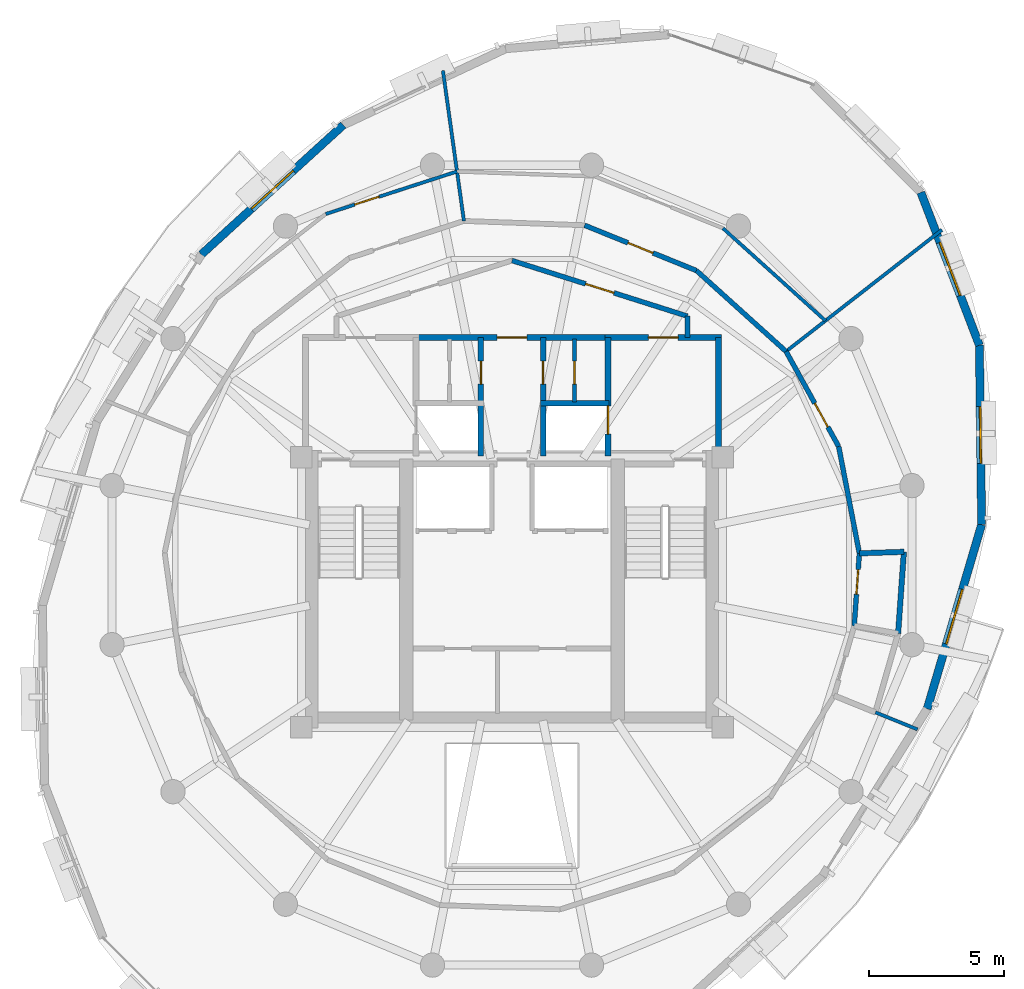
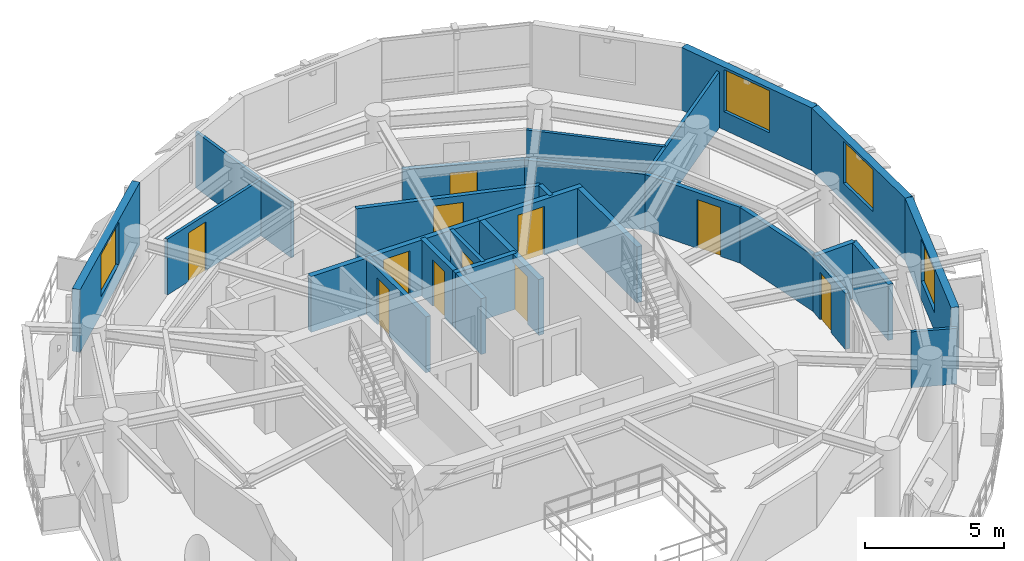
# One storey, part 8 of 11: 26 walls, 11 doors, 4 windows, 15 openings.
"""IFC4 building model written with IfcOpenShell, lengths in metres."""

from ifc_helpers import new_model, si_unit, direction, frame, frame_2d, origin, place, context, subcontext, project, spatial, rectangle, extrude, material, layer, layer_set, type_object, element, fill, save


model = new_model("IFC4")

# Units and contexts
model_context = context("Model", 3, precision=1e-05, world=origin(), true_north=direction((0.0, 1.0)))
body_context = subcontext(model_context, "Body", "Model", "MODEL_VIEW")
ifc_project = project(units=[si_unit("LENGTHUNIT", "METRE"), si_unit("AREAUNIT", "SQUARE_METRE"), si_unit("VOLUMEUNIT", "CUBIC_METRE"), si_unit("PLANEANGLEUNIT", "RADIAN"), si_unit("MASSUNIT", "GRAM", prefix="KILO"), si_unit("THERMODYNAMICTEMPERATUREUNIT", "KELVIN"), si_unit("POWERUNIT", "WATT")], contexts=[model_context])

# Site, building, storey
site_placement = place(None, origin())
site = spatial("IfcSite", under=ifc_project, at=site_placement, CompositionType="ELEMENT")
building_placement = place(site_placement, origin())
building = spatial("IfcBuilding", under=site, at=building_placement, Name="Ocrelia Relay Tower", CompositionType="ELEMENT")
storey_placement = place(building_placement, frame((0.0, 0.0, 270.0)))
storey = spatial("IfcBuildingStorey", under=building, at=storey_placement, Name="L67", CompositionType="ELEMENT", Elevation=270.0)

# Wall
ifc_material_1 = material(Name="Gypsum Fireboard Partition EI60", Category="gypsum")
ifc_layer_1 = layer(ifc_material_1, 0.179931640625, Name="Gypsum Fireboard Partition EI60")
ifc_layer_set_1 = layer_set([ifc_layer_1], Name="Gypsum Fireboard Partition EI60")
wall_type_1 = type_object("IfcWallType", Name="W-CORR-EI60-180", PredefinedType="PARTITIONING", material=ifc_layer_set_1)
wall_1_placement = place(storey_placement, frame((40.5, 35.218994140625, 0.0), z_axis=(0.0, 0.0, 1.0), x_axis=(0.0, -1.0, 0.0)))
element("IfcWall", 1, at=wall_1_placement, inside=storey, type_object=wall_type_1, Name="L67 Smoke Lobby East Return", PredefinedType="PARTITIONING", context=body_context, shape_type="SweptSolid", body=[
    extrude(rectangle(XDim=0.7890625, YDim=0.179931640625, at=frame_2d((0.39453125, 0.0))), origin(), (0.0, 0.0, 1.0), 2.4599609375),
])

# Wall, opening, door
wall_2_placement = place(storey_placement, frame((34.0, 37.280029296875, 0.0), z_axis=(0.0, 0.0, 1.0), x_axis=(0.953228121756, -0.302251795518, 0.0)))
wall_2 = element("IfcWall", 2, at=wall_2_placement, inside=storey, type_object=wall_type_1, Name="L67 North Smoke Lobby E Screen Wall", PredefinedType="PARTITIONING", context=body_context, shape_type="SweptSolid", body=[
    extrude(rectangle(XDim=6.81884765625, YDim=0.179931640625, at=frame_2d((3.409423828125, 0.0))), origin(), (0.0, 0.0, 1.0), 2.4599609375),
])
opening_1_placement = place(wall_2_placement, frame((2.859619140625, 0.0, 0.0)))
opening_1 = element("IfcOpeningElement", 3, at=opening_1_placement, cuts=wall_2, Name="Opening D-FD60", PredefinedType="OPENING", context=body_context, shape_type="SweptSolid", body=[
    extrude(rectangle(XDim=1.10009765625, YDim=2.14990234375, at=frame_2d((0.550048828125, 1.074951171875))), frame((0.0, 0.10009765625, 0.0), z_axis=(0.0, -1.0, 0.0), x_axis=(1.0, 0.0, 0.0)), (0.0, 0.0, 1.0), 0.199951171875),
])
ifc_material_2 = material(Name="Timber-core 60-min acoustic fire door", Category="wood")
door_type_1 = type_object("IfcDoorType", Name="DR-LOBBY-FD60-1100", OperationType="NOTDEFINED", PredefinedType="DOOR", material=ifc_material_2)
door_1_placement = place(opening_1_placement, origin())
door_1 = element("IfcDoor", 4, at=door_1_placement, inside=storey, type_object=door_type_1, Name="L67 North Smoke Lobby E Fire Door", OperationType="SINGLE_SWING_LEFT", OverallHeight=2.14990234375, OverallWidth=1.10009765625, PredefinedType="DOOR", context=body_context, shape_type="SweptSolid", body=[
    extrude(rectangle(XDim=1.10009765625, YDim=2.14990234375, at=frame_2d((0.550048828125, 1.074951171875))), frame((0.0, 0.02490234375, 0.0), z_axis=(0.0, -1.0, 0.0), x_axis=(1.0, 0.0, 0.0)), (0.0, 0.0, 1.0), 0.050048828125),
])
fill(opening_1, door_1)

wall_3_placement = place(storey_placement, frame((46.672607421875, 23.754150390625, 0.0), z_axis=(0.0, 0.0, 1.0), x_axis=(0.070595733357, 0.997505008725, 0.0)))
wall_3 = element("IfcWall", 5, at=wall_3_placement, inside=storey, type_object=wall_type_1, Name="L67 Accessible Toilet Corridor Wall", PredefinedType="PARTITIONING", context=body_context, shape_type="SweptSolid", body=[
    extrude(rectangle(XDim=2.6904296875, YDim=0.179931640625, at=frame_2d((1.34521484375, 0.0))), origin(), (0.0, 0.0, 1.0), 2.4599609375),
])
opening_2_placement = place(wall_3_placement, frame((1.16748046875, 0.0, 0.0)))
opening_2 = element("IfcOpeningElement", 6, at=opening_2_placement, cuts=wall_3, Name="Opening D-WC92", PredefinedType="OPENING", context=body_context, shape_type="SweptSolid", body=[
    extrude(rectangle(XDim=0.919921875, YDim=2.10009765625, at=frame_2d((0.4599609375, 1.050048828125))), frame((0.0, 0.10009765625, 0.0), z_axis=(0.0, -1.0, 0.0), x_axis=(1.0, 0.0, 0.0)), (0.0, 0.0, 1.0), 0.199951171875),
])
ifc_material_3 = material(Name="Laminate washroom door", Category="wood")
door_type_2 = type_object("IfcDoorType", Name="DR-WC-920", OperationType="NOTDEFINED", PredefinedType="DOOR", material=ifc_material_3)
door_2_placement = place(opening_2_placement, origin())
door_2 = element("IfcDoor", 7, at=door_2_placement, inside=storey, type_object=door_type_2, Name="L67 Accessible Toilet Door", OperationType="SINGLE_SWING_LEFT", OverallHeight=2.10009765625, OverallWidth=0.919921875, PredefinedType="DOOR", context=body_context, shape_type="SweptSolid", body=[
    extrude(rectangle(XDim=0.919921875, YDim=2.10009765625, at=frame_2d((0.4599609375, 1.050048828125))), frame((0.0, 0.02490234375, 0.0), z_axis=(0.0, -1.0, 0.0), x_axis=(1.0, 0.0, 0.0)), (0.0, 0.0, 1.0), 0.050048828125),
])
fill(opening_2, door_2)

# Wall
wall_4_placement = place(storey_placement, frame((46.862548828125, 26.43798828125, 0.0), z_axis=(0.0, 0.0, 1.0), x_axis=(-0.189967232021, 0.981790431181, 0.0)))
element("IfcWall", 8, at=wall_4_placement, inside=storey, type_object=wall_type_1, Name="L67 RF Calibration Laboratory Corridor Partition 1", PredefinedType="PARTITIONING", context=body_context, shape_type="SweptSolid", body=[
    extrude(rectangle(XDim=4.0263671875, YDim=0.179931640625, at=frame_2d((2.01318359375, 0.0))), origin(), (0.0, 0.0, 1.0), 2.4599609375),
])

# Wall, opening, door
wall_5_placement = place(storey_placement, frame((46.09765625, 30.39111328125, 0.0), z_axis=(0.0, 0.0, 1.0), x_axis=(-0.484005083868, 0.875065185452, 0.0)))
wall_5 = element("IfcWall", 9, at=wall_5_placement, inside=storey, type_object=wall_type_1, Name="L67 RF Calibration Laboratory Corridor Partition 2", PredefinedType="PARTITIONING", context=body_context, shape_type="SweptSolid", body=[
    extrude(rectangle(XDim=4.02685546875, YDim=0.179931640625, at=frame_2d((2.013427734375, 0.0))), origin(), (0.0, 0.0, 1.0), 2.4599609375),
])
opening_3_placement = place(wall_5_placement, frame((0.831787109375, 0.0, 0.0)))
opening_3 = element("IfcOpeningElement", 10, at=opening_3_placement, cuts=wall_5, Name="Opening D-RM100", PredefinedType="OPENING", context=body_context, shape_type="SweptSolid", body=[
    extrude(rectangle(XDim=1.0, YDim=2.14990234375, at=frame_2d((0.5, 1.074951171875))), frame((0.0, 0.10009765625, 0.0), z_axis=(0.0, -1.0, 0.0), x_axis=(1.0, 0.0, 0.0)), (0.0, 0.0, 1.0), 0.199951171875),
])
ifc_material_4 = material(Name="Acoustic oak veneer fire door", Category="wood")
door_type_3 = type_object("IfcDoorType", Name="DR-ROOM-FD60-1000", OperationType="NOTDEFINED", PredefinedType="DOOR", material=ifc_material_4)
door_3_placement = place(opening_3_placement, origin())
door_3 = element("IfcDoor", 11, at=door_3_placement, inside=storey, type_object=door_type_3, Name="L67 RF Calibration Laboratory Entrance Door", OperationType="SINGLE_SWING_RIGHT", OverallHeight=2.14990234375, OverallWidth=1.0, PredefinedType="DOOR", context=body_context, shape_type="SweptSolid", body=[
    extrude(rectangle(XDim=1.0, YDim=2.14990234375, at=frame_2d((0.5, 1.074951171875))), frame((0.0, 0.02490234375, 0.0), z_axis=(0.0, -1.0, 0.0), x_axis=(1.0, 0.0, 0.0)), (0.0, 0.0, 1.0), 0.050048828125),
])
fill(opening_3, door_3)

# Wall
wall_6_placement = place(storey_placement, frame((44.148681640625, 33.914794921875, 0.0), z_axis=(0.0, 0.0, 1.0), x_axis=(-0.742573984857, 0.669764045775, 0.0)))
element("IfcWall", 12, at=wall_6_placement, inside=storey, type_object=wall_type_1, Name="L67 Spectrum Metrology Lab Corridor Partition 1", PredefinedType="PARTITIONING", context=body_context, shape_type="SweptSolid", body=[
    extrude(rectangle(XDim=4.4697265625, YDim=0.179931640625, at=frame_2d((2.23486328125, 0.0))), origin(), (0.0, 0.0, 1.0), 2.4599609375),
])

# Wall, opening, door
wall_7_placement = place(storey_placement, frame((40.82958984375, 36.908447265625, 0.0), z_axis=(0.0, 0.0, 1.0), x_axis=(-0.926859496036, 0.375408410411, 0.0)))
wall_7 = element("IfcWall", 13, at=wall_7_placement, inside=storey, type_object=wall_type_1, Name="L67 Spectrum Metrology Lab Corridor Partition 2", PredefinedType="PARTITIONING", context=body_context, shape_type="SweptSolid", body=[
    extrude(rectangle(XDim=4.4697265625, YDim=0.179931640625, at=frame_2d((2.23486328125, 0.0))), origin(), (0.0, 0.0, 1.0), 2.4599609375),
])
opening_4_placement = place(wall_7_placement, frame((1.73486328125, 0.0, 0.0)))
opening_4 = element("IfcOpeningElement", 14, at=opening_4_placement, cuts=wall_7, Name="Opening D-RM100", PredefinedType="OPENING", context=body_context, shape_type="SweptSolid", body=[
    extrude(rectangle(XDim=1.0, YDim=2.14990234375, at=frame_2d((0.5, 1.074951171875))), frame((0.0, 0.10009765625, 0.0), z_axis=(0.0, -1.0, 0.0), x_axis=(1.0, 0.0, 0.0)), (0.0, 0.0, 1.0), 0.199951171875),
])
door_4_placement = place(opening_4_placement, origin())
door_4 = element("IfcDoor", 15, at=door_4_placement, inside=storey, type_object=door_type_3, Name="L67 Spectrum Metrology Lab Entrance Door", OperationType="SINGLE_SWING_LEFT", OverallHeight=2.14990234375, OverallWidth=1.0, PredefinedType="DOOR", context=body_context, shape_type="SweptSolid", body=[
    extrude(rectangle(XDim=1.0, YDim=2.14990234375, at=frame_2d((0.5, 1.074951171875))), frame((0.0, 0.02490234375, 0.0), z_axis=(0.0, -1.0, 0.0), x_axis=(1.0, 0.0, 0.0)), (0.0, 0.0, 1.0), 0.050048828125),
])
fill(opening_4, door_4)

# Wall, opening, window
ifc_material_5 = material(Name="Precast concrete C40/50 with oxide terracotta", Category="masonry")
ifc_layer_2 = layer(ifc_material_5, 0.300048828125, Name="Precast concrete C40/50 with oxide terracotta")
ifc_layer_set_2 = layer_set([ifc_layer_2], Name="Precast concrete C40/50 with oxide terracotta")
wall_type_2 = type_object("IfcWallType", Name="W-EXT-TERR-300", PredefinedType="SOLIDWALL", material=ifc_layer_set_2)
wall_8_placement = place(storey_placement, frame((27.75390625, 42.298583984375, 0.0), z_axis=(0.0, 0.0, 1.0), x_axis=(-0.738936247596, -0.673775349793, 0.0)))
wall_8 = element("IfcWall", 16, at=wall_8_placement, inside=storey, type_object=wall_type_2, Name="L67 Oxide Terracotta Facade Wall 04", PredefinedType="SOLIDWALL", context=body_context, shape_type="SweptSolid", body=[
    extrude(rectangle(XDim=7.114990234375, YDim=0.300048828125, at=frame_2d((3.5576171875, 0.0))), origin(), (0.0, 0.0, 1.0), 2.760009765625),
])
opening_5_placement = place(wall_8_placement, frame((2.508056640625, 0.0, 0.800048828125)))
opening_5 = element("IfcOpeningElement", 17, at=opening_5_placement, cuts=wall_8, Name="Opening W-07", PredefinedType="OPENING", context=body_context, shape_type="SweptSolid", body=[
    extrude(rectangle(XDim=2.10009765625, YDim=1.85009765625, at=frame_2d((1.050048828125, 0.925048828125))), frame((0.0, 0.16015625, 0.0), z_axis=(0.0, -1.0, 0.0), x_axis=(1.0, 0.0, 0.0)), (0.0, 0.0, 1.0), 0.320068359375),
])
ifc_material_6 = material(Name="Clear double-glazed low-E glass", Category="glass")
window_type = type_object("IfcWindowType", Name="WIN-Z4-2100x2200", PartitioningType="DOUBLE_PANEL_VERTICAL", PredefinedType="WINDOW", material=ifc_material_6)
window_1_placement = place(opening_5_placement, origin())
window_1 = element("IfcWindow", 18, at=window_1_placement, inside=storey, type_object=window_type, Name="L67 Facade Module Window 04", OverallHeight=1.85009765625, OverallWidth=2.10009765625, PartitioningType="SINGLE_PANEL", PredefinedType="WINDOW", context=body_context, shape_type="SweptSolid", body=[
    extrude(rectangle(XDim=2.10009765625, YDim=1.85009765625, at=frame_2d((1.050048828125, 0.925048828125))), frame((0.0, 0.030029296875, 0.0), z_axis=(0.0, -1.0, 0.0), x_axis=(1.0, 0.0, 0.0)), (0.0, 0.0, 1.0), 0.06005859375),
])
fill(opening_5, window_1)

wall_9_placement = place(storey_placement, frame((49.373779296875, 20.677001953125, 0.0), z_axis=(0.0, 0.0, 1.0), x_axis=(0.283347575433, 0.959017284253, 0.0)))
wall_9 = element("IfcWall", 19, at=wall_9_placement, inside=storey, type_object=wall_type_2, Name="L67 Oxide Terracotta Facade Wall 15", PredefinedType="SOLIDWALL", context=body_context, shape_type="SweptSolid", body=[
    extrude(rectangle(XDim=7.115234375, YDim=0.300048828125, at=frame_2d((3.5576171875, 0.0))), origin(), (0.0, 0.0, 1.0), 2.760009765625),
])
opening_6_placement = place(wall_9_placement, frame((2.508056640625, 0.0, 0.800048828125)))
opening_6 = element("IfcOpeningElement", 20, at=opening_6_placement, cuts=wall_9, Name="Opening W-07", PredefinedType="OPENING", context=body_context, shape_type="SweptSolid", body=[
    extrude(rectangle(XDim=2.10009765625, YDim=1.85009765625, at=frame_2d((1.050048828125, 0.925048828125))), frame((0.0, 0.16015625, 0.0), z_axis=(0.0, -1.0, 0.0), x_axis=(1.0, 0.0, 0.0)), (0.0, 0.0, 1.0), 0.320068359375),
])
window_2_placement = place(opening_6_placement, origin())
window_2 = element("IfcWindow", 21, at=window_2_placement, inside=storey, type_object=window_type, Name="L67 Facade Module Window 15", OverallHeight=1.85009765625, OverallWidth=2.10009765625, PartitioningType="SINGLE_PANEL", PredefinedType="WINDOW", context=body_context, shape_type="SweptSolid", body=[
    extrude(rectangle(XDim=2.10009765625, YDim=1.85009765625, at=frame_2d((1.050048828125, 0.925048828125))), frame((0.0, 0.030029296875, 0.0), z_axis=(0.0, -1.0, 0.0), x_axis=(1.0, 0.0, 0.0)), (0.0, 0.0, 1.0), 0.06005859375),
])
fill(opening_6, window_2)

wall_10_placement = place(storey_placement, frame((51.389892578125, 27.500732421875, 0.0), z_axis=(0.0, 0.0, 1.0), x_axis=(-0.012311621951, 0.99992420911, 0.0)))
wall_10 = element("IfcWall", 22, at=wall_10_placement, inside=storey, type_object=wall_type_2, Name="L67 Oxide Terracotta Facade Wall 16", PredefinedType="SOLIDWALL", context=body_context, shape_type="SweptSolid", body=[
    extrude(rectangle(XDim=6.64306640625, YDim=0.300048828125, at=frame_2d((3.321533203125, 0.0))), origin(), (0.0, 0.0, 1.0), 2.760009765625),
])
opening_7_placement = place(wall_10_placement, frame((2.27197265625, 0.0, 0.800048828125)))
opening_7 = element("IfcOpeningElement", 23, at=opening_7_placement, cuts=wall_10, Name="Opening W-07", PredefinedType="OPENING", context=body_context, shape_type="SweptSolid", body=[
    extrude(rectangle(XDim=2.10009765625, YDim=1.85009765625, at=frame_2d((1.050048828125, 0.925048828125))), frame((0.0, 0.16015625, 0.0), z_axis=(0.0, -1.0, 0.0), x_axis=(1.0, 0.0, 0.0)), (0.0, 0.0, 1.0), 0.320068359375),
])
window_3_placement = place(opening_7_placement, origin())
window_3 = element("IfcWindow", 24, at=window_3_placement, inside=storey, type_object=window_type, Name="L67 Facade Module Window 16", OverallHeight=1.85009765625, OverallWidth=2.10009765625, PartitioningType="SINGLE_PANEL", PredefinedType="WINDOW", context=body_context, shape_type="SweptSolid", body=[
    extrude(rectangle(XDim=2.10009765625, YDim=1.85009765625, at=frame_2d((1.050048828125, 0.925048828125))), frame((0.0, 0.030029296875, 0.0), z_axis=(0.0, -1.0, 0.0), x_axis=(1.0, 0.0, 0.0)), (0.0, 0.0, 1.0), 0.06005859375),
])
fill(opening_7, window_3)

wall_11_placement = place(storey_placement, frame((51.30810546875, 34.143310546875, 0.0), z_axis=(0.0, 0.0, 1.0), x_axis=(-0.357845295603, 0.933780886726, 0.0)))
wall_11 = element("IfcWall", 25, at=wall_11_placement, inside=storey, type_object=wall_type_2, Name="L67 Oxide Terracotta Facade Wall 17", PredefinedType="SOLIDWALL", context=body_context, shape_type="SweptSolid", body=[
    extrude(rectangle(XDim=6.061767578125, YDim=0.300048828125, at=frame_2d((3.03076171875, 0.0))), origin(), (0.0, 0.0, 1.0), 2.760009765625),
])
opening_8_placement = place(wall_11_placement, frame((1.98095703125, 0.0, 0.800048828125)))
opening_8 = element("IfcOpeningElement", 26, at=opening_8_placement, cuts=wall_11, Name="Opening W-07", PredefinedType="OPENING", context=body_context, shape_type="SweptSolid", body=[
    extrude(rectangle(XDim=2.10009765625, YDim=1.85009765625, at=frame_2d((1.050048828125, 0.925048828125))), frame((0.0, 0.16015625, 0.0), z_axis=(0.0, -1.0, 0.0), x_axis=(1.0, 0.0, 0.0)), (0.0, 0.0, 1.0), 0.320068359375),
])
window_4_placement = place(opening_8_placement, origin())
window_4 = element("IfcWindow", 27, at=window_4_placement, inside=storey, type_object=window_type, Name="L67 Facade Module Window 17", OverallHeight=1.85009765625, OverallWidth=2.10009765625, PartitioningType="SINGLE_PANEL", PredefinedType="WINDOW", context=body_context, shape_type="SweptSolid", body=[
    extrude(rectangle(XDim=2.10009765625, YDim=1.85009765625, at=frame_2d((1.050048828125, 0.925048828125))), frame((0.0, 0.030029296875, 0.0), z_axis=(0.0, -1.0, 0.0), x_axis=(1.0, 0.0, 0.0)), (0.0, 0.0, 1.0), 0.06005859375),
])
fill(opening_8, window_4)

# Wall, opening, door
ifc_material_7 = material(Name="Concrete C50/60", Category="concrete")
ifc_layer_3 = layer(ifc_material_7, 0.219970703125, Name="Concrete C50/60")
ifc_layer_set_3 = layer_set([ifc_layer_3], Name="Concrete C50/60")
wall_type_3 = type_object("IfcWallType", Name="W-FFL-EI120-220", PredefinedType="SOLIDWALL", material=ifc_layer_set_3)
wall_12_placement = place(storey_placement, frame((37.56005859375, 30.050048828125, 0.0), z_axis=(0.0, 0.0, 1.0), x_axis=(0.0, 1.0, 0.0)))
wall_12 = element("IfcWall", 28, at=wall_12_placement, inside=storey, type_object=wall_type_3, Name="L67 E Fire Service Lift Lobby West Wall", PredefinedType="SOLIDWALL", context=body_context, shape_type="SweptSolid", body=[
    extrude(rectangle(XDim=4.3798828125, YDim=0.219970703125, at=frame_2d((2.18994140625, 0.0))), origin(), (0.0, 0.0, 1.0), 2.4599609375),
])
opening_9_placement = place(wall_12_placement, frame((0.800048828125, 0.0, 0.0)))
opening_9 = element("IfcOpeningElement", 29, at=opening_9_placement, cuts=wall_12, Name="Opening LD-FFL2", PredefinedType="OPENING", context=body_context, shape_type="SweptSolid", body=[
    extrude(rectangle(XDim=1.050048828125, YDim=2.10009765625, at=frame_2d((0.52490234375, 1.050048828125))), frame((0.0, 0.1201171875, 0.0), z_axis=(0.0, -1.0, 0.0), x_axis=(1.0, 0.0, 0.0)), (0.0, 0.0, 1.0), 0.239990234375),
])
ifc_material_8 = material(Name="Brushed stainless steel S355 lift landing door", Category="steel")
door_type_4 = type_object("IfcDoorType", Name="DR-LIFT-LAND-1050", OperationType="DOUBLE_DOOR_SLIDING", PredefinedType="USERDEFINED", material=ifc_material_8)
door_5_placement = place(opening_9_placement, origin())
door_5 = element("IfcDoor", 30, at=door_5_placement, inside=storey, type_object=door_type_4, Name="L67 Firefighting Lift FFL2 Sliding Landing Door", ObjectType="LANDING DOOR", OperationType="DOUBLE_DOOR_SLIDING", OverallHeight=2.10009765625, OverallWidth=1.050048828125, PredefinedType="USERDEFINED", context=body_context, shape_type="SweptSolid", body=[
    extrude(rectangle(XDim=1.050048828125, YDim=2.10009765625, at=frame_2d((0.52490234375, 1.050048828125))), frame((0.0, 0.02490234375, 0.0), z_axis=(0.0, -1.0, 0.0), x_axis=(1.0, 0.0, 0.0)), (0.0, 0.0, 1.0), 0.050048828125),
])
fill(opening_9, door_5)

# Wall
wall_13_placement = place(storey_placement, frame((41.64990234375, 30.050048828125, 0.0), z_axis=(0.0, 0.0, 1.0), x_axis=(0.0, 1.0, 0.0)))
element("IfcWall", 31, at=wall_13_placement, inside=storey, type_object=wall_type_3, Name="L67 E Fire Service Lift Lobby East Wall", PredefinedType="SOLIDWALL", context=body_context, shape_type="SweptSolid", body=[
    extrude(rectangle(XDim=4.3798828125, YDim=0.219970703125, at=frame_2d((2.18994140625, 0.0))), origin(), (0.0, 0.0, 1.0), 2.4599609375),
])

# Wall, opening, door
wall_14_placement = place(storey_placement, frame((37.449951171875, 34.429931640625, 0.0), z_axis=(0.0, 0.0, 1.0), x_axis=(1.0, 0.0, 0.0)))
wall_14 = element("IfcWall", 32, at=wall_14_placement, inside=storey, type_object=wall_type_3, Name="L67 E Fire Service Lift Lobby North Wall", PredefinedType="SOLIDWALL", context=body_context, shape_type="SweptSolid", body=[
    extrude(rectangle(XDim=4.31005859375, YDim=0.219970703125, at=frame_2d((2.155029296875, 0.0))), origin(), (0.0, 0.0, 1.0), 2.4599609375),
])
opening_10_placement = place(wall_14_placement, frame((1.60009765625, 0.0, 0.0)))
opening_10 = element("IfcOpeningElement", 33, at=opening_10_placement, cuts=wall_14, Name="Opening D-FD60", PredefinedType="OPENING", context=body_context, shape_type="SweptSolid", body=[
    extrude(rectangle(XDim=1.10009765625, YDim=2.14990234375, at=frame_2d((0.550048828125, 1.074951171875))), frame((0.0, 0.1201171875, 0.0), z_axis=(0.0, -1.0, 0.0), x_axis=(1.0, 0.0, 0.0)), (0.0, 0.0, 1.0), 0.239990234375),
])
door_6_placement = place(opening_10_placement, origin())
door_6 = element("IfcDoor", 34, at=door_6_placement, inside=storey, type_object=door_type_1, Name="L67 E Fire Service Lift Lobby Exit Door", OperationType="SINGLE_SWING_LEFT", OverallHeight=2.14990234375, OverallWidth=1.10009765625, PredefinedType="DOOR", context=body_context, shape_type="SweptSolid", body=[
    extrude(rectangle(XDim=1.10009765625, YDim=2.14990234375, at=frame_2d((0.550048828125, 1.074951171875))), frame((0.0, 0.02490234375, 0.0), z_axis=(0.0, -1.0, 0.0), x_axis=(1.0, 0.0, 0.0)), (0.0, 0.0, 1.0), 0.050048828125),
])
fill(opening_10, door_6)

wall_15_placement = place(storey_placement, frame((30.43994140625, 34.429931640625, 0.0), z_axis=(0.0, 0.0, 1.0), x_axis=(1.0, 0.0, 0.0)))
wall_15 = element("IfcWall", 35, at=wall_15_placement, inside=storey, type_object=wall_type_3, Name="L67 North Core Vestibule Wall", PredefinedType="SOLIDWALL", context=body_context, shape_type="SweptSolid", body=[
    extrude(rectangle(XDim=7.1201171875, YDim=0.219970703125, at=frame_2d((3.56005859375, 0.0))), origin(), (0.0, 0.0, 1.0), 2.4599609375),
])
opening_11_placement = place(wall_15_placement, frame((3.010009765625, 0.0, 0.0)))
opening_11 = element("IfcOpeningElement", 36, at=opening_11_placement, cuts=wall_15, Name="Opening D-FD60", PredefinedType="OPENING", context=body_context, shape_type="SweptSolid", body=[
    extrude(rectangle(XDim=1.10009765625, YDim=2.14990234375, at=frame_2d((0.550048828125, 1.074951171875))), frame((0.0, 0.1201171875, 0.0), z_axis=(0.0, -1.0, 0.0), x_axis=(1.0, 0.0, 0.0)), (0.0, 0.0, 1.0), 0.239990234375),
])
door_7_placement = place(opening_11_placement, origin())
door_7 = element("IfcDoor", 37, at=door_7_placement, inside=storey, type_object=door_type_1, Name="L67 North Core Vestibule Corridor Door", OperationType="SINGLE_SWING_LEFT", OverallHeight=2.14990234375, OverallWidth=1.10009765625, PredefinedType="DOOR", context=body_context, shape_type="SweptSolid", body=[
    extrude(rectangle(XDim=1.10009765625, YDim=2.14990234375, at=frame_2d((0.550048828125, 1.074951171875))), frame((0.0, 0.02490234375, 0.0), z_axis=(0.0, -1.0, 0.0), x_axis=(1.0, 0.0, 0.0)), (0.0, 0.0, 1.0), 0.050048828125),
])
fill(opening_11, door_7)

# Walls
ifc_material_9 = material(Name="Acoustic Fireboard Partition EI60", Category="gypsum")
ifc_layer_4 = layer(ifc_material_9, 0.125, Name="Acoustic Fireboard Partition EI60")
ifc_layer_set_4 = layer_set([ifc_layer_4], Name="Acoustic Fireboard Partition EI60")
wall_type_4 = type_object("IfcWallType", Name="W-PART-125", PredefinedType="PARTITIONING", material=ifc_layer_set_4)
wall_16_placement = place(storey_placement, frame((47.4580078125, 20.549072265625, 0.0), z_axis=(0.0, 0.0, 1.0), x_axis=(0.926855389393, -0.375418549292, 0.0)))
element("IfcWall", 38, at=wall_16_placement, inside=storey, type_object=wall_type_4, Name="L67 RF Calibration Laboratory Radial Partition", PredefinedType="PARTITIONING", context=body_context, shape_type="SweptSolid", body=[
    extrude(rectangle(XDim=1.68115234375, YDim=0.125, at=frame_2d((0.840576171875, 0.0))), origin(), (0.0, 0.0, 1.0), 2.4599609375),
])
wall_17_placement = place(storey_placement, frame((44.148681640625, 33.914794921875, 0.0), z_axis=(0.0, 0.0, 1.0), x_axis=(0.788548574124, 0.614972476008, 0.0)))
element("IfcWall", 39, at=wall_17_placement, inside=storey, type_object=wall_type_4, Name="L67 RF Calibration Laboratory Radial Partition", PredefinedType="PARTITIONING", context=body_context, shape_type="SweptSolid", body=[
    extrude(rectangle(XDim=7.318115234375, YDim=0.125, at=frame_2d((3.6591796875, 0.0))), origin(), (0.0, 0.0, 1.0), 2.4599609375),
])
wall_18_placement = place(storey_placement, frame((32.219970703125, 38.746337890625, 0.0), z_axis=(0.0, 0.0, 1.0), x_axis=(-0.138331765083, 0.990385946371, 0.0)))
element("IfcWall", 40, at=wall_18_placement, inside=storey, type_object=wall_type_4, Name="L67 Spectrum Metrology Lab Radial Partition", PredefinedType="PARTITIONING", context=body_context, shape_type="SweptSolid", body=[
    extrude(rectangle(XDim=5.62109375, YDim=0.125, at=frame_2d((2.810546875, 0.0))), origin(), (0.0, 0.0, 1.0), 2.4599609375),
])
wall_19_placement = place(storey_placement, frame((45.607421875, 35.052490234375, 0.0), z_axis=(0.0, 0.0, 1.0), x_axis=(-0.742559943457, 0.669779613286, 0.0)))
element("IfcWall", 41, at=wall_19_placement, inside=storey, type_object=wall_type_4, Name="L67 Perimeter Spectrum Metrology Lab Mid-Ring Partition 1", PredefinedType="PARTITIONING", context=body_context, shape_type="SweptSolid", body=[
    extrude(rectangle(XDim=5.1123046875, YDim=0.125, at=frame_2d((2.55615234375, 0.0))), origin(), (0.0, 0.0, 1.0), 2.4599609375),
])

# Wall, opening, door
wall_20_placement = place(storey_placement, frame((31.964111328125, 40.57861328125, 0.0), z_axis=(0.0, 0.0, 1.0), x_axis=(-0.95131897624, -0.308208055452, 0.0)))
wall_20 = element("IfcWall", 42, at=wall_20_placement, inside=storey, type_object=wall_type_4, Name="L67 Perimeter Antenna Chamber Studio Mid-Ring Partition 1", PredefinedType="PARTITIONING", context=body_context, shape_type="SweptSolid", body=[
    extrude(rectangle(XDim=5.1123046875, YDim=0.125, at=frame_2d((2.55615234375, 0.0))), origin(), (0.0, 0.0, 1.0), 2.4599609375),
])
opening_12_placement = place(wall_20_placement, frame((3.03173828125, 0.0, 0.0)))
opening_12 = element("IfcOpeningElement", 43, at=opening_12_placement, cuts=wall_20, Name="Opening D-RM95", PredefinedType="OPENING", context=body_context, shape_type="SweptSolid", body=[
    extrude(rectangle(XDim=0.949951171875, YDim=2.14990234375, at=frame_2d((0.47509765625, 1.074951171875))), frame((0.0, 0.072509765625, 0.0), z_axis=(0.0, -1.0, 0.0), x_axis=(1.0, 0.0, 0.0)), (0.0, 0.0, 1.0), 0.14501953125),
])
door_type_5 = type_object("IfcDoorType", Name="DR-ROOM-950", OperationType="NOTDEFINED", PredefinedType="DOOR", material=ifc_material_4)
door_8_placement = place(opening_12_placement, origin())
door_8 = element("IfcDoor", 44, at=door_8_placement, inside=storey, type_object=door_type_5, Name="L67 Perimeter Antenna Chamber Studio Connecting Door", OperationType="SINGLE_SWING_RIGHT", OverallHeight=2.14990234375, OverallWidth=0.949951171875, PredefinedType="DOOR", context=body_context, shape_type="SweptSolid", body=[
    extrude(rectangle(XDim=0.949951171875, YDim=2.14990234375, at=frame_2d((0.47509765625, 1.074951171875))), frame((0.0, 0.02490234375, 0.0), z_axis=(0.0, -1.0, 0.0), x_axis=(1.0, 0.0, 0.0)), (0.0, 0.0, 1.0), 0.050048828125),
])
fill(opening_12, door_8)

ifc_layer_5 = layer(ifc_material_9, 0.14990234375, Name="Acoustic Fireboard Partition EI60")
ifc_layer_set_5 = layer_set([ifc_layer_5], Name="Acoustic Fireboard Partition EI60")
wall_type_5 = type_object("IfcWallType", Name="W-PART-150", PredefinedType="PARTITIONING", material=ifc_layer_set_5)
wall_21_placement = place(storey_placement, frame((36.31005859375, 32.050048828125, 0.0), z_axis=(0.0, 0.0, 1.0), x_axis=(0.0, 1.0, 0.0)))
wall_21 = element("IfcWall", 45, at=wall_21_placement, inside=storey, type_object=wall_type_5, Name="L67 East Core Support Partition", PredefinedType="PARTITIONING", context=body_context, shape_type="SweptSolid", body=[
    extrude(rectangle(XDim=2.329833984375, YDim=0.14990234375, at=frame_2d((1.1650390625, 0.0))), origin(), (0.0, 0.0, 1.0), 2.4599609375),
])
opening_13_placement = place(wall_21_placement, frame((0.64990234375, 0.0, 0.0)))
opening_13 = element("IfcOpeningElement", 46, at=opening_13_placement, cuts=wall_21, Name="Opening D-RS86", PredefinedType="OPENING", context=body_context, shape_type="SweptSolid", body=[
    extrude(rectangle(XDim=0.860107421875, YDim=2.050048828125, at=frame_2d((0.43017578125, 1.02490234375))), frame((0.0, 0.0849609375, 0.0), z_axis=(0.0, -1.0, 0.0), x_axis=(1.0, 0.0, 0.0)), (0.0, 0.0, 1.0), 0.169921875),
])
ifc_material_10 = material(Name="Steel S355 riser access fire door", Category="steel")
door_type_6 = type_object("IfcDoorType", Name="DR-RISER-TRAP-860", OperationType="NOTDEFINED", PredefinedType="TRAPDOOR", material=ifc_material_10)
door_9_placement = place(opening_13_placement, origin())
door_9 = element("IfcDoor", 47, at=door_9_placement, inside=storey, type_object=door_type_6, Name="L67 East Core Store Connecting Door", OperationType="SINGLE_SWING_LEFT", OverallHeight=2.050048828125, OverallWidth=0.860107421875, PredefinedType="TRAPDOOR", context=body_context, shape_type="SweptSolid", body=[
    extrude(rectangle(XDim=0.860107421875, YDim=2.050048828125, at=frame_2d((0.43017578125, 1.02490234375))), frame((0.0, 0.02490234375, 0.0), z_axis=(0.0, -1.0, 0.0), x_axis=(1.0, 0.0, 0.0)), (0.0, 0.0, 1.0), 0.050048828125),
])
fill(opening_13, door_9)

# Walls
ifc_material_11 = material(Name="Moisture-Resistant Fireboard Chase Wall EI60", Category="gypsum")
ifc_layer_6 = layer(ifc_material_11, 0.199951171875, Name="Moisture-Resistant Fireboard Chase Wall EI60")
ifc_layer_set_6 = layer_set([ifc_layer_6], Name="Moisture-Resistant Fireboard Chase Wall EI60")
wall_type_6 = type_object("IfcWallType", Name="W-PLUMB-200", PredefinedType="PLUMBINGWALL", material=ifc_layer_set_6)
wall_22_placement = place(storey_placement, frame((46.862548828125, 26.43798828125, 0.0), z_axis=(0.0, 0.0, 1.0), x_axis=(0.999420841341, 0.034029133014, 0.0)))
element("IfcWall", 48, at=wall_22_placement, inside=storey, type_object=wall_type_6, Name="L67 Accessible Toilet Plumbing Radial Wall", PredefinedType="PLUMBINGWALL", context=body_context, shape_type="SweptSolid", body=[
    extrude(rectangle(XDim=1.650146484375, YDim=0.199951171875, at=frame_2d((0.8251953125, 0.0))), origin(), (0.0, 0.0, 1.0), 2.4599609375),
])
wall_23_placement = place(storey_placement, frame((48.297119140625, 23.46630859375, 0.0), z_axis=(0.0, 0.0, 1.0), x_axis=(0.070698316115, 0.997497743405, 0.0)))
element("IfcWall", 49, at=wall_23_placement, inside=storey, type_object=wall_type_6, Name="L67 Accessible Toilet Back Plumbing Wall", PredefinedType="PLUMBINGWALL", context=body_context, shape_type="SweptSolid", body=[
    extrude(rectangle(XDim=3.035400390625, YDim=0.199951171875, at=frame_2d((1.517578125, 0.0))), origin(), (0.0, 0.0, 1.0), 2.4599609375),
])

# Wall, opening, door
ifc_layer_7 = layer(ifc_material_7, 0.199951171875, Name="Concrete C50/60")
ifc_layer_set_7 = layer_set([ifc_layer_7], Name="Concrete C50/60")
wall_type_7 = type_object("IfcWallType", Name="W-SHAFT-EI120-200", PredefinedType="SOLIDWALL", material=ifc_layer_set_7)
wall_24_placement = place(storey_placement, frame((32.85009765625, 30.050048828125, 0.0), z_axis=(0.0, 0.0, 1.0), x_axis=(0.0, 1.0, 0.0)))
wall_24 = element("IfcWall", 50, at=wall_24_placement, inside=storey, type_object=wall_type_7, Name="L67 FFL1 and Service Vestibule Wall", PredefinedType="SOLIDWALL", context=body_context, shape_type="SweptSolid", body=[
    extrude(rectangle(XDim=4.3798828125, YDim=0.199951171875, at=frame_2d((2.18994140625, 0.0))), origin(), (0.0, 0.0, 1.0), 2.4599609375),
])
opening_14_placement = place(wall_24_placement, frame((2.64990234375, 0.0, 0.0)))
opening_14 = element("IfcOpeningElement", 51, at=opening_14_placement, cuts=wall_24, Name="Opening D-RS86", PredefinedType="OPENING", context=body_context, shape_type="SweptSolid", body=[
    extrude(rectangle(XDim=0.860107421875, YDim=2.050048828125, at=frame_2d((0.43017578125, 1.02490234375))), frame((0.0, 0.10986328125, 0.0), z_axis=(0.0, -1.0, 0.0), x_axis=(1.0, 0.0, 0.0)), (0.0, 0.0, 1.0), 0.219970703125),
])
door_10_placement = place(opening_14_placement, origin())
door_10 = element("IfcDoor", 52, at=door_10_placement, inside=storey, type_object=door_type_6, Name="L67 Core Support Room W Door", OperationType="SINGLE_SWING_RIGHT", OverallHeight=2.050048828125, OverallWidth=0.860107421875, PredefinedType="TRAPDOOR", context=body_context, shape_type="SweptSolid", body=[
    extrude(rectangle(XDim=0.860107421875, YDim=2.050048828125, at=frame_2d((0.43017578125, 1.02490234375))), frame((0.0, 0.02490234375, 0.0), z_axis=(0.0, -1.0, 0.0), x_axis=(1.0, 0.0, 0.0)), (0.0, 0.0, 1.0), 0.050048828125),
])
fill(opening_14, door_10)

# Wall
wall_25_placement = place(storey_placement, frame((35.050048828125, 32.0, 0.0), z_axis=(0.0, 0.0, 1.0), x_axis=(1.0, 0.0, 0.0)))
element("IfcWall", 53, at=wall_25_placement, inside=storey, type_object=wall_type_7, Name="L67 FFL2 Hoistway North Wall", PredefinedType="SOLIDWALL", context=body_context, shape_type="SweptSolid", body=[
    extrude(rectangle(XDim=2.550048828125, YDim=0.199951171875, at=frame_2d((1.27490234375, 0.0))), origin(), (0.0, 0.0, 1.0), 2.4599609375),
])

# Wall, opening, door
wall_26_placement = place(storey_placement, frame((35.14990234375, 30.050048828125, 0.0), z_axis=(0.0, 0.0, 1.0), x_axis=(0.0, 1.0, 0.0)))
wall_26 = element("IfcWall", 54, at=wall_26_placement, inside=storey, type_object=wall_type_7, Name="L67 FFL2 and Service Vestibule Wall", PredefinedType="SOLIDWALL", context=body_context, shape_type="SweptSolid", body=[
    extrude(rectangle(XDim=4.3798828125, YDim=0.199951171875, at=frame_2d((2.18994140625, 0.0))), origin(), (0.0, 0.0, 1.0), 2.4599609375),
])
opening_15_placement = place(wall_26_placement, frame((2.64990234375, 0.0, 0.0)))
opening_15 = element("IfcOpeningElement", 55, at=opening_15_placement, cuts=wall_26, Name="Opening D-RS86", PredefinedType="OPENING", context=body_context, shape_type="SweptSolid", body=[
    extrude(rectangle(XDim=0.860107421875, YDim=2.050048828125, at=frame_2d((0.43017578125, 1.02490234375))), frame((0.0, 0.10986328125, 0.0), z_axis=(0.0, -1.0, 0.0), x_axis=(1.0, 0.0, 0.0)), (0.0, 0.0, 1.0), 0.219970703125),
])
door_11_placement = place(opening_15_placement, origin())
door_11 = element("IfcDoor", 56, at=door_11_placement, inside=storey, type_object=door_type_6, Name="L67 Core Support Room E Door", OperationType="SINGLE_SWING_RIGHT", OverallHeight=2.050048828125, OverallWidth=0.860107421875, PredefinedType="TRAPDOOR", context=body_context, shape_type="SweptSolid", body=[
    extrude(rectangle(XDim=0.860107421875, YDim=2.050048828125, at=frame_2d((0.43017578125, 1.02490234375))), frame((0.0, 0.02490234375, 0.0), z_axis=(0.0, -1.0, 0.0), x_axis=(1.0, 0.0, 0.0)), (0.0, 0.0, 1.0), 0.050048828125),
])
fill(opening_15, door_11)

save(model, "model.ifc")
